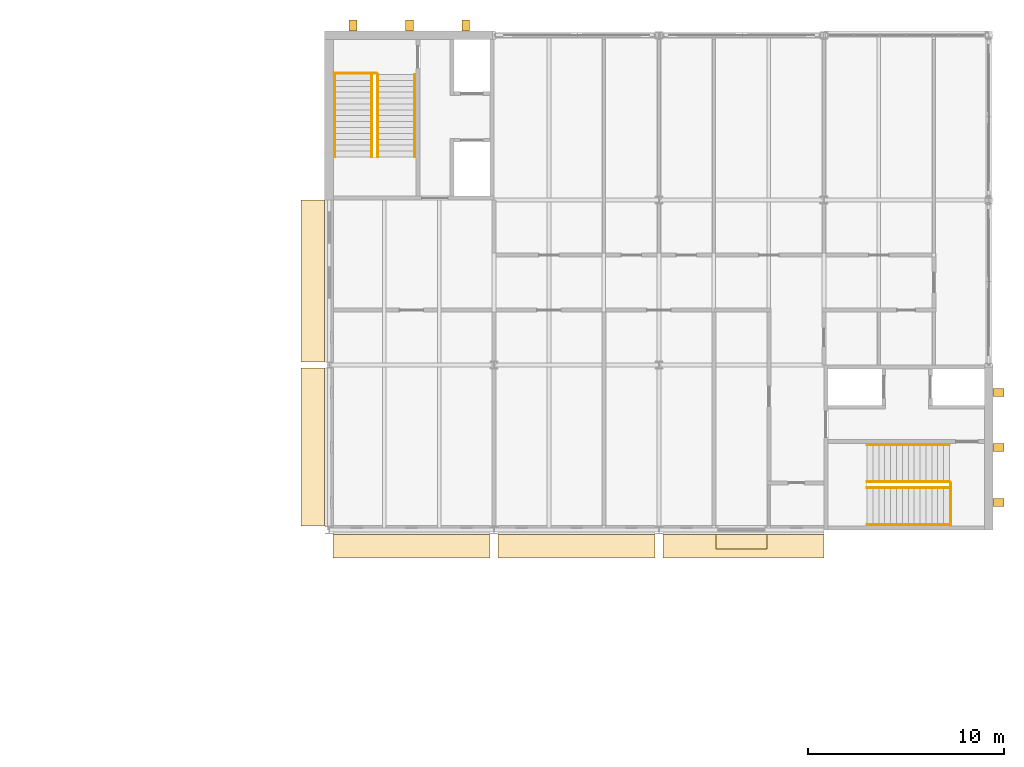
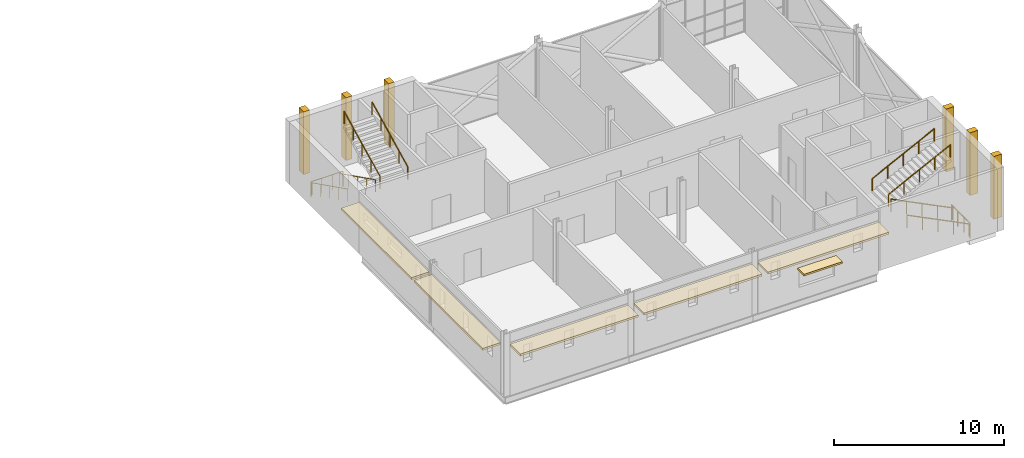
# One storey, part 22 of 22: 12 coverings, 10 railings.
"""IFC4 building model written with IfcOpenShell, lengths in metres."""

from ifc_helpers import new_model, si_unit, direction, frame, origin, origin_2d, place, context, subcontext, project, spatial, rectangle, circle, extrude, material, layer, layer_set, type_object, element, save


model = new_model("IFC4")

# Units and contexts
model_context = context("Model", 3, precision=1e-05, world=origin(), true_north=direction((0.0, 1.0)))
body_context = subcontext(model_context, "Body", "Model", "MODEL_VIEW")
ifc_project = project(units=[si_unit("LENGTHUNIT", "METRE"), si_unit("AREAUNIT", "SQUARE_METRE"), si_unit("VOLUMEUNIT", "CUBIC_METRE"), si_unit("PLANEANGLEUNIT", "RADIAN"), si_unit("MASSUNIT", "GRAM", prefix="KILO")], contexts=[model_context])

# Site, building, storey
site_placement = place(None, origin())
site = spatial("IfcSite", under=ifc_project, at=site_placement, CompositionType="ELEMENT")
building_placement = place(site_placement, origin())
building = spatial("IfcBuilding", under=site, at=building_placement, Name="Ardhachandra Cancer Care Centre", CompositionType="ELEMENT")
storey_placement = place(building_placement, frame((0.0, 0.0, 18.0)))
storey = spatial("IfcBuildingStorey", under=building, at=storey_placement, Name="L04", CompositionType="ELEMENT", Elevation=18.0)

# Railings
ifc_material_1 = material(Name="Steel E250 (IS 2062)", Category="steel")
railing_type_1 = type_object("IfcRailingType", Name="Guard 1100", PredefinedType="GUARDRAIL", material=ifc_material_1)
railing_1_placement = place(storey_placement, frame((111.85498046875, 103.06005859375, 0.0)))
element("IfcRailing", 1, at=railing_1_placement, inside=storey, type_object=railing_type_1, Name="Stair well guard K12 L04", PredefinedType="GUARDRAIL", context=body_context, shape_type="SweptSolid", body=[
    extrude(circle(Radius=0.02392578125, at=origin_2d()), frame((0.0, 0.0, 1.076171875), z_axis=(1.0, 0.0, 0.0), x_axis=(0.0, 1.0, 0.0)), (0.0, 0.0, 1.0), 2.169921875),
    extrude(circle(Radius=0.02099609375, at=origin_2d()), origin(), (0.0, 0.0, 1.0), 1.052001953125),
    extrude(circle(Radius=0.02099609375, at=origin_2d()), frame((0.723388671875, 0.0, 0.0)), (0.0, 0.0, 1.0), 1.052001953125),
    extrude(circle(Radius=0.02099609375, at=origin_2d()), frame((1.446533203125, 0.0, 0.0)), (0.0, 0.0, 1.0), 1.052001953125),
    extrude(circle(Radius=0.02099609375, at=origin_2d()), frame((2.169921875, 0.0, 0.0)), (0.0, 0.0, 1.0), 1.052001953125),
])
railing_2_placement = place(storey_placement, frame((143.260009765625, 80.030029296875, 0.0)))
element("IfcRailing", 2, at=railing_2_placement, inside=storey, type_object=railing_type_1, Name="Stair well guard K13 L04", PredefinedType="GUARDRAIL", context=body_context, shape_type="SweptSolid", body=[
    extrude(circle(Radius=0.02392578125, at=origin_2d()), frame((0.0, 0.0, 1.076171875), z_axis=(0.0, 1.0, 0.0), x_axis=(-1.0, 0.0, 0.0)), (0.0, 0.0, 1.0), 2.169921875),
    extrude(circle(Radius=0.02099609375, at=origin_2d()), origin(), (0.0, 0.0, 1.0), 1.052001953125),
    extrude(circle(Radius=0.02099609375, at=origin_2d()), frame((0.0, 0.723388671875, 0.0)), (0.0, 0.0, 1.0), 1.052001953125),
    extrude(circle(Radius=0.02099609375, at=origin_2d()), frame((0.0, 1.446533203125, 0.0)), (0.0, 0.0, 1.0), 1.052001953125),
    extrude(circle(Radius=0.02099609375, at=origin_2d()), frame((0.0, 2.169921875, 0.0)), (0.0, 0.0, 1.0), 1.052001953125),
])

# Coverings
ifc_material_2 = material(Name="Precast Concrete M25", Category="concrete")
ifc_layer_1 = layer(ifc_material_2, 0.1201171875)
ifc_layer_set_1 = layer_set([ifc_layer_1], Name="Precast Concrete M25")
covering_type_1 = type_object("IfcCoveringType", Name="Precast chajja 750 x 120", PredefinedType="USERDEFINED", material=ifc_layer_set_1)
covering_1_placement = place(storey_placement, frame((132.60009765625, 79.199951171875, 2.199951171875), z_axis=(0.0, 0.0, 1.0), x_axis=(1.0, 0.0, 0.0)))
element("IfcCovering", 3, at=covering_1_placement, inside=storey, type_object=covering_type_1, Name="Chajja L04/s/0128400_0079800/02", ObjectType="CHAJJA", PredefinedType="USERDEFINED", context=body_context, shape_type="SweptSolid", body=[
    extrude(rectangle(XDim=2.60009765625, YDim=0.75, at=origin_2d()), origin(), (0.0, 0.0, 1.0), 0.1201171875),
])
ifc_material_3 = material(Name="Precast Concrete M25", Category="concrete")
ifc_layer_2 = layer(ifc_material_3, 0.39990234375)
ifc_layer_set_2 = layer_set([ifc_layer_2], Name="Precast Concrete M25")
covering_type_2 = type_object("IfcCoveringType", Name="Precast concrete fin 400 x 550", PredefinedType="CLADDING", material=ifc_layer_set_2)
for number, where, z_axis, x_axis, name in (
    (4, (112.8125, 105.5, 0.0), (0.0, 0.0, 1.0), (1.0, 0.0, 0.0), "Fin L04 core K12 1"),
    (5, (115.6875, 105.5, 0.0), (0.0, 0.0, 1.0), (1.0, 0.0, 0.0), "Fin L04 core K12 2"),
    (6, (118.5625, 105.5, 0.0), (0.0, 0.0, 1.0), (1.0, 0.0, 0.0), "Fin L04 core K12 3"),
    (7, (145.699951171875, 81.199951171875, 0.0), (0.0, 0.0, 1.0), (0.0, 1.0, 0.0), "Fin L04 core K13 1"),
    (8, (145.699951171875, 84.0, 0.0), (0.0, 0.0, 1.0), (0.0, 1.0, 0.0), "Fin L04 core K13 2"),
    (9, (145.699951171875, 86.800048828125, 0.0), (0.0, 0.0, 1.0), (0.0, 1.0, 0.0), "Fin L04 core K13 3"),
):
    element("IfcCovering", number, at=place(storey_placement, frame(where, z_axis=z_axis, x_axis=x_axis)), inside=storey, type_object=covering_type_2, Name=name, PredefinedType="CLADDING", context=body_context, shape_type="SweptSolid", body=[
        extrude(rectangle(XDim=0.39990234375, YDim=0.550048828125, at=origin_2d()), origin(), (0.0, 0.0, 1.0), 4.5),
    ])
ifc_material_4 = material(Name="Precast Concrete M25", Category="concrete")
ifc_layer_3 = layer(ifc_material_4, 0.14990234375)
ifc_layer_set_3 = layer_set([ifc_layer_3], Name="Precast Concrete M25")
covering_type_3 = type_object("IfcCoveringType", Name="Precast sunshade band 1200 x 150", PredefinedType="CLADDING", material=ifc_layer_set_3)
for number, where, z_axis, x_axis, name in (
    (10, (115.800048828125, 78.97509765625, 3.550048828125), (0.0, 0.0, 1.0), (1.0, 0.0, 0.0), "Sunshade band L04 L04/s/0111600_0079800 1"),
    (11, (124.199951171875, 78.97509765625, 3.550048828125), (0.0, 0.0, 1.0), (1.0, 0.0, 0.0), "Sunshade band L04 L04/s/0120000_0079800 1"),
):
    element("IfcCovering", number, at=place(storey_placement, frame(where, z_axis=z_axis, x_axis=x_axis)), inside=storey, type_object=covering_type_3, Name=name, PredefinedType="CLADDING", context=body_context, shape_type="SweptSolid", body=[
        extrude(rectangle(XDim=8.0048828125, YDim=1.199951171875, at=origin_2d()), origin(), (0.0, 0.0, 1.0), 0.14990234375),
    ])
covering_2_placement = place(storey_placement, frame((132.69873046875, 78.97509765625, 3.550048828125), z_axis=(0.0, 0.0, 1.0), x_axis=(1.0, 0.0, 0.0)))
element("IfcCovering", 12, at=covering_2_placement, inside=storey, type_object=covering_type_3, Name="Sunshade band L04 L04/s/0128400_0079800 1", PredefinedType="CLADDING", context=body_context, shape_type="SweptSolid", body=[
    extrude(rectangle(XDim=8.202392578125, YDim=1.199951171875, at=origin_2d()), origin(), (0.0, 0.0, 1.0), 0.14990234375),
])
covering_3_placement = place(storey_placement, frame((110.77490234375, 84.02001953125, 3.550048828125), z_axis=(0.0, 0.0, 1.0), x_axis=(0.0, 1.0, 0.0)))
element("IfcCovering", 13, at=covering_3_placement, inside=storey, type_object=covering_type_3, Name="Sunshade band L04 L04/w/0111600_0079800 1", PredefinedType="CLADDING", context=body_context, shape_type="SweptSolid", body=[
    extrude(rectangle(XDim=8.06005859375, YDim=1.199951171875, at=origin_2d()), origin(), (0.0, 0.0, 1.0), 0.14990234375),
])
covering_4_placement = place(storey_placement, frame((110.77490234375, 92.47509765625, 3.550048828125), z_axis=(0.0, 0.0, 1.0), x_axis=(0.0, 1.0, 0.0)))
element("IfcCovering", 14, at=covering_4_placement, inside=storey, type_object=covering_type_3, Name="Sunshade band L04 L04/w/0111600_0088200 1", PredefinedType="CLADDING", context=body_context, shape_type="SweptSolid", body=[
    extrude(rectangle(XDim=8.25, YDim=1.199951171875, at=origin_2d()), origin(), (0.0, 0.0, 1.0), 0.14990234375),
])

# Railings
ifc_material_5 = material(Name="Steel E250 (IS 2062)", Category="steel")
railing_type_2 = type_object("IfcRailingType", Name="Stair handrail 900", PredefinedType="HANDRAIL", material=ifc_material_5)
for number, where, name in (
    (15, (111.885009765625, 103.0, 0.14990234375), "Handrail K12 L04-L05 flight 1 wall side"),
    (16, (113.77490234375, 103.0, 0.14990234375), "Handrail K12 L04-L05 flight 1 well side"),
):
    element("IfcRailing", number, at=place(storey_placement, frame(where)), inside=storey, type_object=railing_type_2, Name=name, PredefinedType="HANDRAIL", context=body_context, shape_type="SweptSolid", body=[
        extrude(circle(Radius=0.02392578125, at=origin_2d()), frame((0.0, 0.0, 0.8759765625), z_axis=(0.0, -0.894416792377, 0.447234392142), x_axis=(1.0, 0.0, 0.0)), (0.0, 0.0, 1.0), 4.69580078125),
        extrude(circle(Radius=0.02099609375, at=origin_2d()), origin(), (0.0, 0.0, 1.0), 0.851806640625),
        extrude(circle(Radius=0.02099609375, at=origin_2d()), frame((0.0, -1.050048828125, 0.52490234375)), (0.0, 0.0, 1.0), 0.851806640625),
        extrude(circle(Radius=0.02099609375, at=origin_2d()), frame((0.0, -2.10009765625, 1.050048828125)), (0.0, 0.0, 1.0), 0.851806640625),
        extrude(circle(Radius=0.02099609375, at=origin_2d()), frame((0.0, -3.14990234375, 1.5751953125)), (0.0, 0.0, 1.0), 0.851806640625),
        extrude(circle(Radius=0.02099609375, at=origin_2d()), frame((0.0, -4.199951171875, 2.10009765625)), (0.0, 0.0, 1.0), 0.851806640625),
    ])
for number, where, name in (
    (17, (114.074951171875, 98.800048828125, 2.39990234375), "Handrail K12 L04-L05 flight 2 well side"),
    (18, (115.965087890625, 98.800048828125, 2.39990234375), "Handrail K12 L04-L05 flight 2 wall side"),
):
    element("IfcRailing", number, at=place(storey_placement, frame(where)), inside=storey, type_object=railing_type_2, Name=name, PredefinedType="HANDRAIL", context=body_context, shape_type="SweptSolid", body=[
        extrude(circle(Radius=0.02392578125, at=origin_2d()), frame((0.0, 0.0, 0.8759765625), z_axis=(0.0, 0.894416792377, 0.447234392142), x_axis=(-1.0, 0.0, 0.0)), (0.0, 0.0, 1.0), 4.69580078125),
        extrude(circle(Radius=0.02099609375, at=origin_2d()), origin(), (0.0, 0.0, 1.0), 0.851806640625),
        extrude(circle(Radius=0.02099609375, at=origin_2d()), frame((0.0, 1.050048828125, 0.52490234375)), (0.0, 0.0, 1.0), 0.851806640625),
        extrude(circle(Radius=0.02099609375, at=origin_2d()), frame((0.0, 2.10009765625, 1.050048828125)), (0.0, 0.0, 1.0), 0.851806640625),
        extrude(circle(Radius=0.02099609375, at=origin_2d()), frame((0.0, 3.14990234375, 1.5751953125)), (0.0, 0.0, 1.0), 0.851806640625),
        extrude(circle(Radius=0.02099609375, at=origin_2d()), frame((0.0, 4.199951171875, 2.10009765625)), (0.0, 0.0, 1.0), 0.851806640625),
    ])
for number, where, name in (
    (19, (143.199951171875, 80.06005859375, 0.14990234375), "Handrail K13 L04-L05 flight 1 wall side"),
    (20, (143.199951171875, 81.949951171875, 0.14990234375), "Handrail K13 L04-L05 flight 1 well side"),
):
    element("IfcRailing", number, at=place(storey_placement, frame(where)), inside=storey, type_object=railing_type_2, Name=name, PredefinedType="HANDRAIL", context=body_context, shape_type="SweptSolid", body=[
        extrude(circle(Radius=0.02392578125, at=origin_2d()), frame((0.0, 0.0, 0.8759765625), z_axis=(-0.894416792377, 0.0, 0.447234392142), x_axis=(0.0, -1.0, 0.0)), (0.0, 0.0, 1.0), 4.69580078125),
        extrude(circle(Radius=0.02099609375, at=origin_2d()), origin(), (0.0, 0.0, 1.0), 0.851806640625),
        extrude(circle(Radius=0.02099609375, at=origin_2d()), frame((-1.050048828125, 0.0, 0.52490234375)), (0.0, 0.0, 1.0), 0.851806640625),
        extrude(circle(Radius=0.02099609375, at=origin_2d()), frame((-2.10009765625, 0.0, 1.050048828125)), (0.0, 0.0, 1.0), 0.851806640625),
        extrude(circle(Radius=0.02099609375, at=origin_2d()), frame((-3.14990234375, 0.0, 1.5751953125)), (0.0, 0.0, 1.0), 0.851806640625),
        extrude(circle(Radius=0.02099609375, at=origin_2d()), frame((-4.199951171875, 0.0, 2.10009765625)), (0.0, 0.0, 1.0), 0.851806640625),
    ])
for number, where, name in (
    (21, (139.0, 82.25, 2.39990234375), "Handrail K13 L04-L05 flight 2 well side"),
    (22, (139.0, 84.139892578125, 2.39990234375), "Handrail K13 L04-L05 flight 2 wall side"),
):
    element("IfcRailing", number, at=place(storey_placement, frame(where)), inside=storey, type_object=railing_type_2, Name=name, PredefinedType="HANDRAIL", context=body_context, shape_type="SweptSolid", body=[
        extrude(circle(Radius=0.02392578125, at=origin_2d()), frame((0.0, 0.0, 0.8759765625), z_axis=(0.894416792377, 0.0, 0.447234392142), x_axis=(0.0, 1.0, 0.0)), (0.0, 0.0, 1.0), 4.69580078125),
        extrude(circle(Radius=0.02099609375, at=origin_2d()), origin(), (0.0, 0.0, 1.0), 0.851806640625),
        extrude(circle(Radius=0.02099609375, at=origin_2d()), frame((1.050048828125, 0.0, 0.52490234375)), (0.0, 0.0, 1.0), 0.851806640625),
        extrude(circle(Radius=0.02099609375, at=origin_2d()), frame((2.10009765625, 0.0, 1.050048828125)), (0.0, 0.0, 1.0), 0.851806640625),
        extrude(circle(Radius=0.02099609375, at=origin_2d()), frame((3.14990234375, 0.0, 1.5751953125)), (0.0, 0.0, 1.0), 0.851806640625),
        extrude(circle(Radius=0.02099609375, at=origin_2d()), frame((4.199951171875, 0.0, 2.10009765625)), (0.0, 0.0, 1.0), 0.851806640625),
    ])

save(model, "model.ifc")
